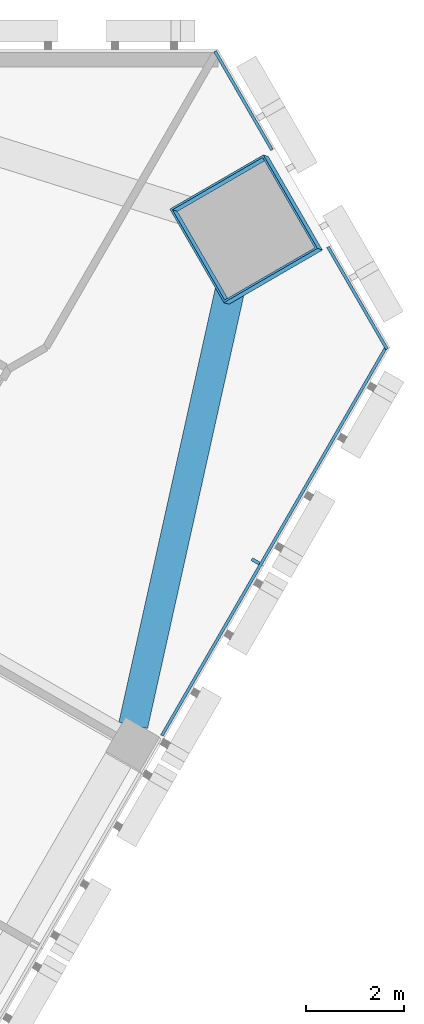
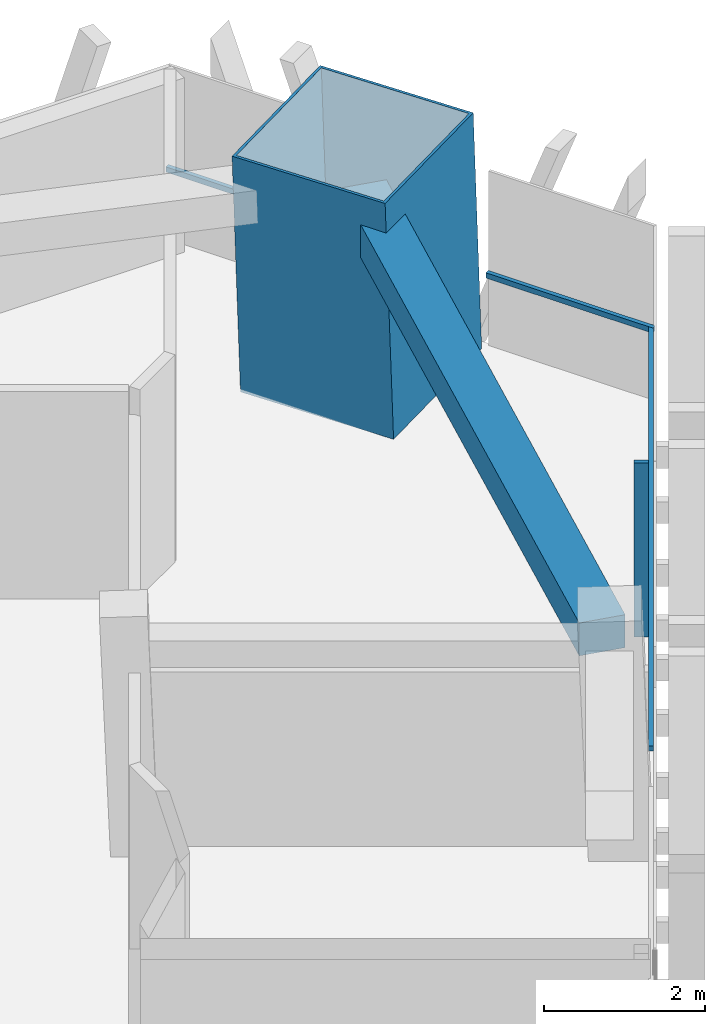
# One storey, part 7 of 16: 5 members, 1 beam, 2 elements without a shape of their own.
"""IFC4 building model written with IfcOpenShell, lengths in metres."""

from ifc_helpers import new_model, si_unit, direction, frame, origin, origin_2d, place, context, subcontext, project, spatial, rectangle, hollow_rectangle, extrude, material, layer, layer_set, material_profile, profile_set, type_object, element, aggregate, save


model = new_model("IFC4")

# Units and contexts
model_context = context("Model", 3, precision=1e-05, world=origin(), true_north=direction((0.0, 1.0)))
body_context = subcontext(model_context, "Body", "Model", "MODEL_VIEW")
ifc_project = project(units=[si_unit("LENGTHUNIT", "METRE"), si_unit("AREAUNIT", "SQUARE_METRE"), si_unit("VOLUMEUNIT", "CUBIC_METRE"), si_unit("PLANEANGLEUNIT", "RADIAN"), si_unit("MASSUNIT", "GRAM", prefix="KILO")], contexts=[model_context])

# Site, building, storey
site_placement = place(None, origin())
site = spatial("IfcSite", under=ifc_project, at=site_placement, CompositionType="ELEMENT")
building_placement = place(site_placement, origin())
building = spatial("IfcBuilding", under=site, at=building_placement, Name="Altiplano Prism Tower", CompositionType="ELEMENT")
storey_placement = place(building_placement, frame((0.0, 0.0, 167.39990234375)))
storey = spatial("IfcBuildingStorey", under=building, at=storey_placement, Name="L43", CompositionType="ELEMENT", Elevation=167.39990234375)

# Curtain wall, members
ifc_material_1 = material(Name="Aluminium and glass", Category="aluminium")
ifc_layer = layer(ifc_material_1, 0.280029296875)
ifc_layer_set = layer_set([ifc_layer], Name="Aluminium and glass")
curtain_wall_type = type_object("IfcCurtainWallType", Name="CW1 typical co-living unitised curtain wall", PredefinedType="NOTDEFINED", material=ifc_layer_set)
curtain_wall_1_placement = place(storey_placement, origin())
curtain_wall_1 = element("IfcCurtainWall", 1, at=curtain_wall_1_placement, inside=storey, type_object=curtain_wall_type, Name="CW1 curtain wall south-east face L43", PredefinedType="NOTDEFINED")
ifc_material_2 = material(Name="Aluminium", Category="aluminium")
ifc_material_profile_1 = material_profile(ifc_material_2, rectangle(XDim=0.179931640625, YDim=0.06494140625, at=origin_2d()), Name="CW1 mullion 65 x 180")
ifc_profile_set_1 = profile_set([ifc_material_profile_1], Name="Aluminium")
member_type_1 = type_object("IfcMemberType", Name="CW1 mullion 65 x 180", PredefinedType="MULLION", material=ifc_profile_set_1)
member_1_placement = place(storey_placement, frame((108.90234375, 94.586669921875, 0.0), z_axis=(0.0, 0.0, 1.0), x_axis=(-0.866025409221, 0.499999990583, 0.0)))
member_1 = element("IfcMember", 2, at=member_1_placement, type_object=member_type_1, Name="CW1 mullion", PredefinedType="MULLION", context=body_context, shape_type="SweptSolid", body=[
    extrude(rectangle(XDim=0.179931640625, YDim=0.06494140625, at=origin_2d()), origin(), (0.0, 0.0, 1.0), 2.650146484375),
])
ifc_material_profile_2 = material_profile(ifc_material_2, rectangle(XDim=0.06005859375, YDim=0.080078125, at=origin_2d()), Name="CW1 transom 80 x 60")
ifc_profile_set_2 = profile_set([ifc_material_profile_2], Name="Aluminium")
member_type_2 = type_object("IfcMemberType", Name="CW1 transom 80 x 60", PredefinedType="USERDEFINED", material=ifc_profile_set_2)
member_2_placement = place(storey_placement, frame((106.99609375, 91.044921875, 1.10009765625), z_axis=(0.500004811665, 0.86602262575, 0.0), x_axis=(-0.86602262575, 0.500004811665, 0.0)))
member_2 = element("IfcMember", 3, at=member_2_placement, type_object=member_type_2, Name="CW1 transom", ObjectType="TRANSOM", PredefinedType="USERDEFINED", context=body_context, shape_type="SweptSolid", body=[
    extrude(rectangle(XDim=0.06005859375, YDim=0.080078125, at=origin_2d()), origin(), (0.0, 0.0, 1.0), 9.15625),
])
aggregate(curtain_wall_1, [member_1, member_2])

curtain_wall_2_placement = place(storey_placement, origin())
curtain_wall_2 = element("IfcCurtainWall", 4, at=curtain_wall_2_placement, inside=storey, type_object=curtain_wall_type, Name="CW1 curtain wall north-east chamfer L43", PredefinedType="NOTDEFINED")
member_3_placement = place(storey_placement, frame((111.57421875, 98.904296875, 1.10009765625), z_axis=(-0.500013115284, 0.866017831539, 0.0), x_axis=(-0.866017831539, -0.500013115284, 0.0)))
member_3 = element("IfcMember", 5, at=member_3_placement, type_object=member_type_2, Name="CW1 transom", ObjectType="TRANSOM", PredefinedType="USERDEFINED", context=body_context, shape_type="SweptSolid", body=[
    extrude(rectangle(XDim=0.06005859375, YDim=0.080078125, at=origin_2d()), origin(), (0.0, 0.0, 1.0), 2.3994140625),
])
member_4_placement = place(storey_placement, frame((109.234619140625, 102.95654296875, 1.10009765625), z_axis=(-0.499932046183, 0.866064633385, 0.0), x_axis=(-0.866064633385, -0.499932046183, 0.0)))
member_4 = element("IfcMember", 6, at=member_4_placement, type_object=member_type_2, Name="CW1 transom", ObjectType="TRANSOM", PredefinedType="USERDEFINED", context=body_context, shape_type="SweptSolid", body=[
    extrude(rectangle(XDim=0.06005859375, YDim=0.080078125, at=origin_2d()), origin(), (0.0, 0.0, 1.0), 2.319091796875),
])
aggregate(curtain_wall_2, [member_3, member_4])

# Beam
ifc_material_3 = material(Name="Concrete C60/75", Category="concrete")
ifc_material_profile_3 = material_profile(ifc_material_3, rectangle(XDim=0.60009765625, YDim=0.5, at=origin_2d()), Name="Edge beam 600x500")
ifc_profile_set_3 = profile_set([ifc_material_profile_3], Name="Concrete C60/75")
beam_type = type_object("IfcBeamType", Name="Edge beam 600x500", PredefinedType="SPANDREL", material=ifc_profile_set_3)
beam_placement = place(storey_placement, frame((106.412109375, 91.25048828125, 2.900146484375), z_axis=(0.216935680567, 0.976185899559, 0.0), x_axis=(-0.976185899559, 0.216935680567, 0.0)))
element("IfcBeam", 7, at=beam_placement, inside=storey, type_object=beam_type, Name="Edge beam P24-M2 L44", PredefinedType="SPANDREL", context=body_context, shape_type="SweptSolid", body=[
    extrude(rectangle(XDim=0.60009765625, YDim=0.5, at=origin_2d()), origin(), (0.0, 0.0, 1.0), 9.899169921875),
])

# Member
ifc_material_4 = material(Name="Steel S460", Category="steel")
ifc_material_profile_4 = material_profile(ifc_material_4, hollow_rectangle(XDim=2.199951171875, YDim=2.199951171875, WallThickness=0.0400390625, at=origin_2d()), Name="Mega column tube 2200")
ifc_profile_set_4 = profile_set([ifc_material_profile_4], Name="Steel S460")
member_type_3 = type_object("IfcMemberType", Name="Mega column tube 2200", PredefinedType="POST", material=ifc_profile_set_4)
member_5_placement = place(storey_placement, frame((108.759521484375, 101.31982421875, 0.0), z_axis=(-0.028401814599, 0.009218727412, 0.999554076572), x_axis=(0.500752382038, -0.86530561276, 0.022209196488)))
element("IfcMember", 8, at=member_5_placement, inside=storey, type_object=member_type_3, Name="Mega column tube M2 L43", PredefinedType="POST", context=body_context, shape_type="SweptSolid", body=[
    extrude(hollow_rectangle(XDim=2.199951171875, YDim=2.199951171875, WallThickness=0.0400390625, at=origin_2d()), origin(), (0.0, 0.0, 1.0), 3.601806640625),
])

save(model, "model.ifc")
